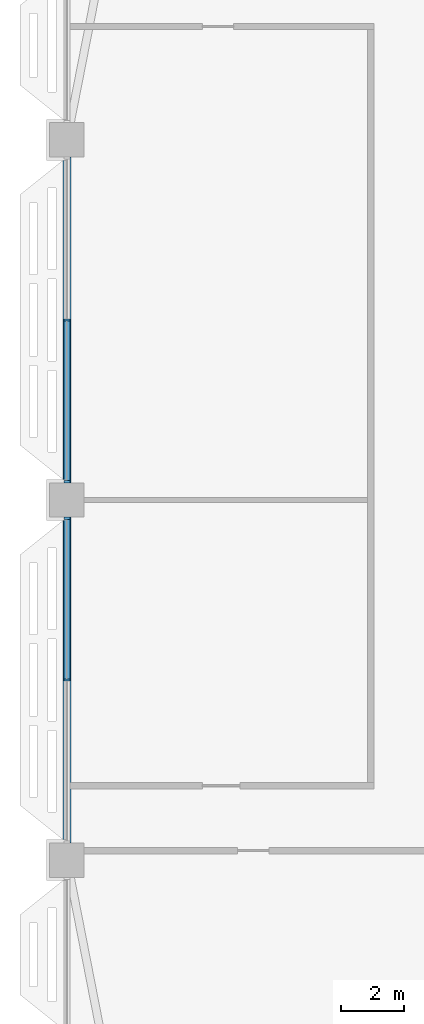
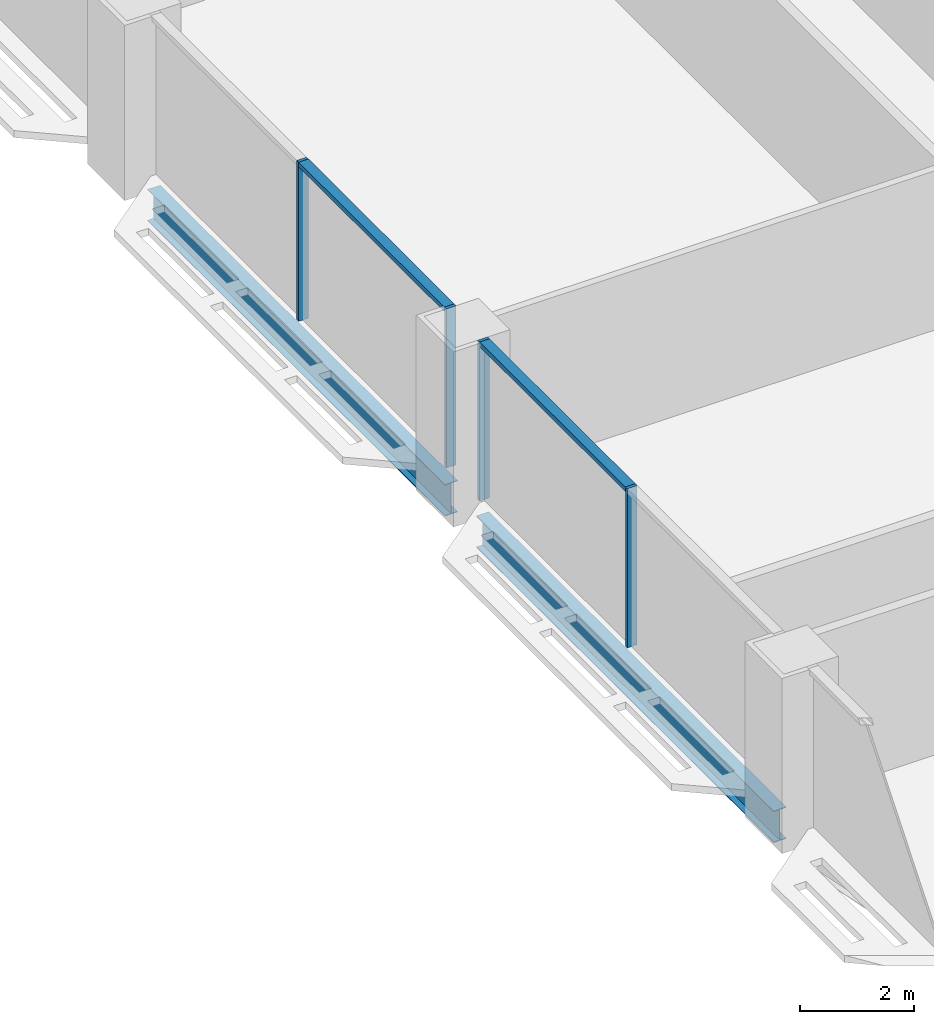
# One storey, part 5 of 30: 6 members, 2 beams, 2 elements without a shape of their own.
"""IFC4 building model written with IfcOpenShell, lengths in metres."""

from ifc_helpers import new_model, si_unit, direction, frame, origin, origin_2d, place, context, subcontext, project, spatial, rectangle, i_section, extrude, material, material_profile, profile_set, type_object, element, aggregate, save


model = new_model("IFC4")

# Units and contexts
model_context = context("Model", 3, precision=1e-05, world=origin(), true_north=direction((0.0, 1.0)))
body_context = subcontext(model_context, "Body", "Model", "MODEL_VIEW")
ifc_project = project(units=[si_unit("LENGTHUNIT", "METRE"), si_unit("AREAUNIT", "SQUARE_METRE"), si_unit("VOLUMEUNIT", "CUBIC_METRE"), si_unit("PLANEANGLEUNIT", "RADIAN"), si_unit("MASSUNIT", "GRAM", prefix="KILO")], contexts=[model_context])

# Site, building, storey
site_placement = place(None, origin())
site = spatial("IfcSite", under=ifc_project, at=site_placement, CompositionType="ELEMENT")
building_placement = place(site_placement, origin())
building = spatial("IfcBuilding", under=site, at=building_placement, Name="Mahtab Terrace Research Tower", CompositionType="ELEMENT")
storey_placement = place(building_placement, frame((0.0, 0.0, 220.5)))
storey = spatial("IfcBuildingStorey", under=building, at=storey_placement, Name="L53", CompositionType="ELEMENT", Elevation=220.5)

# Curtain wall, members
ifc_material_1 = material(Name="Laboratory ribbon curtain wall")
curtain_wall_type = type_object("IfcCurtainWallType", Name="Laboratory ribbon curtain wall", PredefinedType="NOTDEFINED", material=ifc_material_1)
curtain_wall_1_placement = place(storey_placement, origin())
curtain_wall_1 = element("IfcCurtainWall", 1, at=curtain_wall_1_placement, inside=storey, type_object=curtain_wall_type, Name="EN.L53.8.16", PredefinedType="NOTDEFINED")
ifc_material_2 = material(Name="Natural anodised aluminium", Category="aluminium")
ifc_material_profile_1 = material_profile(ifc_material_2, rectangle(XDim=0.199951171875, YDim=0.06494140625, at=origin_2d()), Name="MULLION 65x200")
ifc_profile_set_1 = profile_set([ifc_material_profile_1], Name="Natural anodised aluminium")
member_type_1 = type_object("IfcMemberType", Name="Laboratory ribbon curtain wall mullion", PredefinedType="MULLION", material=ifc_profile_set_1)
member_1_placement = place(storey_placement, frame((-42.0, 5.75, 0.0), z_axis=(0.0, 0.0, 1.0), x_axis=(1.0, 0.0, 0.0)))
member_1 = element("IfcMember", 2, at=member_1_placement, type_object=member_type_1, Name="CWL-6 mullion 2", PredefinedType="MULLION", context=body_context, shape_type="SweptSolid", body=[
    extrude(rectangle(XDim=0.199951171875, YDim=0.06494140625, at=origin_2d()), origin(), (0.0, 0.0, 1.0), 3.39990234375),
])
member_2_placement = place(storey_placement, frame((-42.0, 0.58251953125, 0.0), z_axis=(0.0, 0.0, 1.0), x_axis=(1.0, 0.0, 0.0)))
member_2 = element("IfcMember", 3, at=member_2_placement, type_object=member_type_1, Name="CWL-6 mullion 3", PredefinedType="MULLION", context=body_context, shape_type="SweptSolid", body=[
    extrude(rectangle(XDim=0.199951171875, YDim=0.06494140625, at=origin_2d()), origin(), (0.0, 0.0, 1.0), 3.39990234375),
])

curtain_wall_2_placement = place(storey_placement, origin())
curtain_wall_2 = element("IfcCurtainWall", 4, at=curtain_wall_2_placement, inside=storey, type_object=curtain_wall_type, Name="EN.L53.8.17", PredefinedType="NOTDEFINED")
member_3_placement = place(storey_placement, frame((-42.0, -0.58251953125, 0.0), z_axis=(0.0, 0.0, 1.0), x_axis=(1.0, 0.0, 0.0)))
member_3 = element("IfcMember", 5, at=member_3_placement, type_object=member_type_1, Name="CWL-6 mullion 1", PredefinedType="MULLION", context=body_context, shape_type="SweptSolid", body=[
    extrude(rectangle(XDim=0.199951171875, YDim=0.06494140625, at=origin_2d()), origin(), (0.0, 0.0, 1.0), 3.39990234375),
])
member_4_placement = place(storey_placement, frame((-42.0, -5.75, 0.0), z_axis=(0.0, 0.0, 1.0), x_axis=(1.0, 0.0, 0.0)))
member_4 = element("IfcMember", 6, at=member_4_placement, type_object=member_type_1, Name="CWL-6 mullion 2", PredefinedType="MULLION", context=body_context, shape_type="SweptSolid", body=[
    extrude(rectangle(XDim=0.199951171875, YDim=0.06494140625, at=origin_2d()), origin(), (0.0, 0.0, 1.0), 3.39990234375),
])

# Member
ifc_material_profile_2 = material_profile(ifc_material_2, rectangle(XDim=0.199951171875, YDim=0.10009765625, at=origin_2d()), Name="TRANSOM 100x200")
ifc_profile_set_2 = profile_set([ifc_material_profile_2], Name="Natural anodised aluminium")
member_type_2 = type_object("IfcMemberType", Name="Laboratory ribbon curtain wall transom", PredefinedType="USERDEFINED", material=ifc_profile_set_2)
member_5_placement = place(storey_placement, frame((-42.0, 5.717529296875, 3.35009765625), z_axis=(0.0, -1.0, 0.0), x_axis=(1.0, 0.0, 0.0)))
member_5 = element("IfcMember", 7, at=member_5_placement, type_object=member_type_2, Name="CWL-6 transom 2", ObjectType="TRANSOM", PredefinedType="USERDEFINED", context=body_context, shape_type="SweptSolid", body=[
    extrude(rectangle(XDim=0.199951171875, YDim=0.10009765625, at=origin_2d()), origin(), (0.0, 0.0, 1.0), 5.1025390625),
])

aggregate(curtain_wall_1, [member_1, member_2, member_5])

member_6_placement = place(storey_placement, frame((-42.0, -0.614990234375, 3.35009765625), z_axis=(0.0, -1.0, 0.0), x_axis=(1.0, 0.0, 0.0)))
member_6 = element("IfcMember", 8, at=member_6_placement, type_object=member_type_2, Name="CWL-6 transom 1", ObjectType="TRANSOM", PredefinedType="USERDEFINED", context=body_context, shape_type="SweptSolid", body=[
    extrude(rectangle(XDim=0.199951171875, YDim=0.10009765625, at=origin_2d()), origin(), (0.0, 0.0, 1.0), 5.1025390625),
])

aggregate(curtain_wall_2, [member_3, member_4, member_6])

# Beams
ifc_material_3 = material(Name="Steel ASTM A992 Gr 50", Category="steel")
ifc_material_profile_3 = material_profile(ifc_material_3, i_section(OverallWidth=0.25390625, OverallDepth=0.67822265625, WebThickness=0.01171875, FlangeThickness=0.016357421875, at=origin_2d()), Name="W27X84")
ifc_profile_set_3 = profile_set([ifc_material_profile_3], Name="Steel ASTM A992 Gr 50")
beam_type = type_object("IfcBeamType", Name="W27x84 beam BS2784", PredefinedType="BEAM", material=ifc_profile_set_3)
for number, where, z_axis, x_axis, name in (
    (9, (-42.0, 10.949951171875, -0.67919921875), (0.0, -1.0, 0.0), (1.0, 0.0, 0.0), "Spandrel beam L53 10"),
    (10, (-42.0, -0.550048828125, -0.67919921875), (0.0, -1.0, 0.0), (1.0, 0.0, 0.0), "Spandrel beam L53 11"),
):
    element("IfcBeam", number, at=place(storey_placement, frame(where, z_axis=z_axis, x_axis=x_axis)), inside=storey, type_object=beam_type, Name=name, PredefinedType="BEAM", context=body_context, shape_type="SweptSolid", body=[
        extrude(i_section(OverallWidth=0.25390625, OverallDepth=0.67822265625, WebThickness=0.01171875, FlangeThickness=0.016357421875, at=origin_2d()), origin(), (0.0, 0.0, 1.0), 10.39990234375),
    ])

save(model, "model.ifc")
